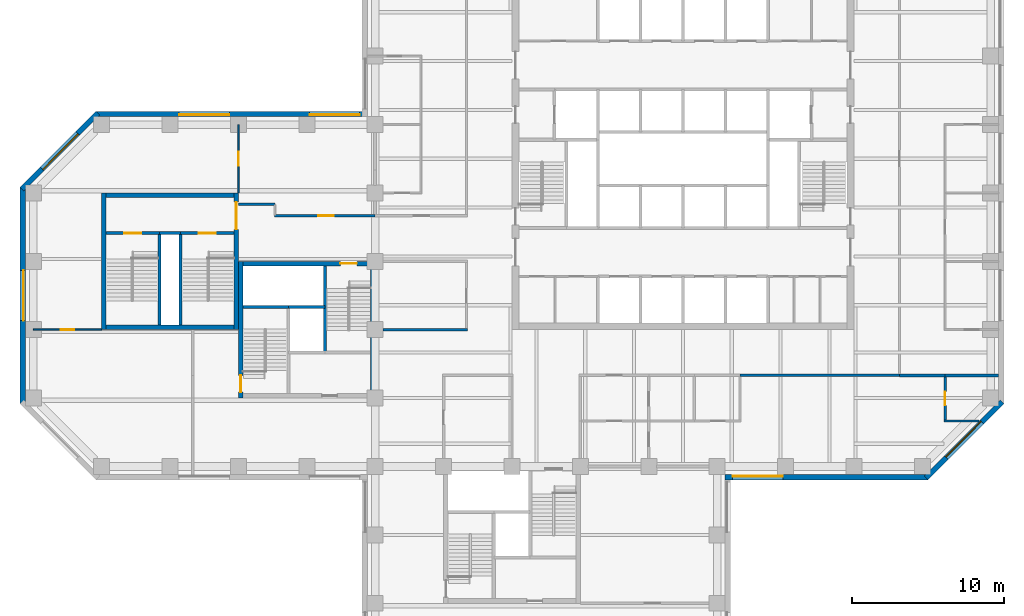
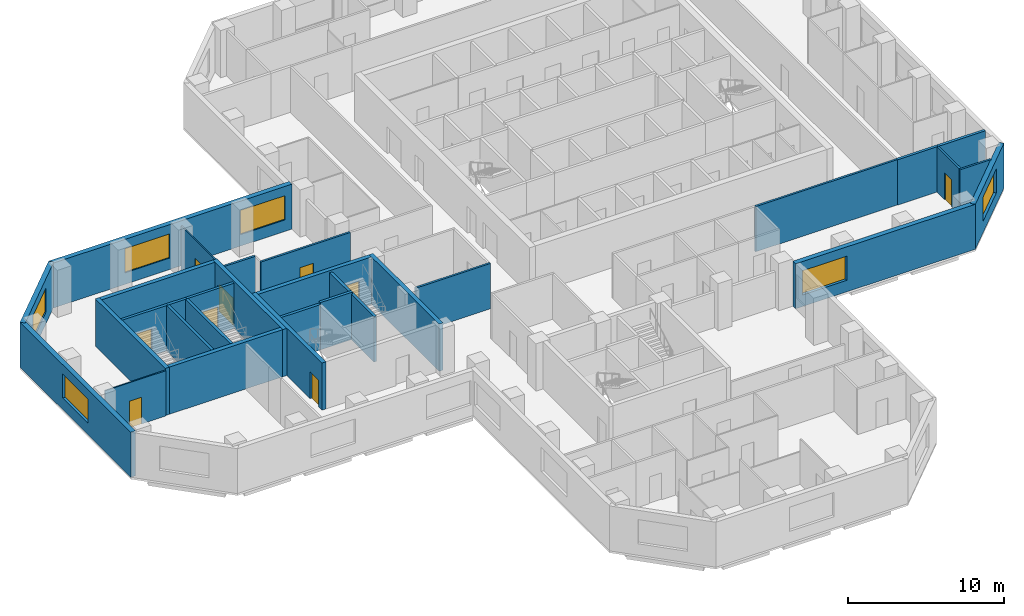
# One storey, part 5 of 10: 30 walls, 9 doors, 6 windows, 15 openings.
"""IFC4 building model written with IfcOpenShell, lengths in metres."""

from ifc_helpers import new_model, si_unit, direction, frame, frame_2d, origin, place, context, subcontext, project, spatial, rectangle, extrude, material, layer, layer_set, constituent, constituent_set, type_object, element, fill, save


model = new_model("IFC4")

# Units and contexts
model_context = context("Model", 3, precision=1e-05, world=origin(), true_north=direction((0.0, 1.0)))
body_context = subcontext(model_context, "Body", "Model", "MODEL_VIEW")
ifc_project = project(units=[si_unit("LENGTHUNIT", "METRE"), si_unit("AREAUNIT", "SQUARE_METRE"), si_unit("VOLUMEUNIT", "CUBIC_METRE"), si_unit("PLANEANGLEUNIT", "RADIAN"), si_unit("MASSUNIT", "GRAM", prefix="KILO")], contexts=[model_context])

# Site, building, storey
site_placement = place(None, origin())
site = spatial("IfcSite", under=ifc_project, at=site_placement, CompositionType="ELEMENT")
building_placement = place(site_placement, origin())
building = spatial("IfcBuilding", under=site, at=building_placement, Name="Quoin Convention Tower", CompositionType="ELEMENT")
storey_placement = place(building_placement, frame((0.0, 0.0, 86.300048828125)))
storey = spatial("IfcBuildingStorey", under=building, at=storey_placement, Name="L22", CompositionType="ELEMENT", Elevation=86.300048828125)

# Wall, opening, window
ifc_material_1 = material(Name="Brick masonry", Category="masonry")
ifc_layer_1 = layer(ifc_material_1, 0.35009765625)
ifc_layer_set_1 = layer_set([ifc_layer_1], Name="Brick masonry")
wall_type_1 = type_object("IfcWallType", Name="Brick facade wall", PredefinedType="STANDARD", material=ifc_layer_set_1)
wall_1_placement = place(storey_placement, frame((59.02490234375, 39.800048828125, 0.0), z_axis=(0.0, 0.0, 1.0), x_axis=(1.0, 0.0, 0.0)))
wall_1 = element("IfcWall", 1, at=wall_1_placement, inside=storey, type_object=wall_type_1, Name="fw-L22-58500_40500", PredefinedType="STANDARD", context=body_context, shape_type="SweptSolid", body=[
    extrude(rectangle(XDim=13.33740234375, YDim=0.35009765625, at=frame_2d((6.668701171875, 0.0))), origin(), (0.0, 0.0, 1.0), 3.52490234375),
])
opening_1_placement = place(wall_1_placement, frame((0.5, 0.0, 0.89990234375)))
opening_1 = element("IfcOpeningElement", 2, at=opening_1_placement, cuts=wall_1, Name="Opening W-02", PredefinedType="OPENING", context=body_context, shape_type="SweptSolid", body=[
    extrude(rectangle(XDim=3.300048828125, YDim=1.89990234375, at=frame_2d((1.64990234375, 0.949951171875))), frame((0.0, 0.18505859375, 0.0), z_axis=(0.0, -1.0, 0.0), x_axis=(1.0, 0.0, 0.0)), (0.0, 0.0, 1.0), 0.3701171875),
])
ifc_material_2 = material(Name="Aluminium", Category="aluminium")
ifc_constituent_1 = constituent(ifc_material_2, Name="Frame")
ifc_material_3 = material(Name="Insulated glass", Category="glass")
ifc_constituent_2 = constituent(ifc_material_3, Name="Glazing")
ifc_constituent_set = constituent_set(constituents=[ifc_constituent_1, ifc_constituent_2], Name="Aluminium")
window_type = type_object("IfcWindowType", Name="Office window", PartitioningType="DOUBLE_PANEL_VERTICAL", PredefinedType="WINDOW", material=ifc_constituent_set)
window_1_placement = place(opening_1_placement, origin())
window_1 = element("IfcWindow", 3, at=window_1_placement, inside=storey, type_object=window_type, Name="win-L22-60750_39800", OverallHeight=1.89990234375, OverallWidth=3.300048828125, PartitioningType="SINGLE_PANEL", PredefinedType="WINDOW", context=body_context, shape_type="SweptSolid", body=[
    extrude(rectangle(XDim=3.300048828125, YDim=1.89990234375, at=frame_2d((1.64990234375, 0.949951171875))), frame((0.0, 0.0849609375, 0.0), z_axis=(0.0, -1.0, 0.0), x_axis=(1.0, 0.0, 0.0)), (0.0, 0.0, 1.0), 0.06005859375),
])
fill(opening_1, window_1)

wall_2_placement = place(storey_placement, frame((72.23876953125, 39.748779296875, 0.0), z_axis=(0.0, 0.0, 1.0), x_axis=(0.707106781187, 0.707106781187, 0.0)))
wall_2 = element("IfcWall", 4, at=wall_2_placement, inside=storey, type_object=wall_type_1, Name="fw-L22-72000_40500", PredefinedType="STANDARD", context=body_context, shape_type="SweptSolid", body=[
    extrude(rectangle(XDim=7.088623046875, YDim=0.35009765625, at=frame_2d((3.54443359375, 0.0))), origin(), (0.0, 0.0, 1.0), 3.52490234375),
])
opening_2_placement = place(wall_2_placement, frame((1.894287109375, 0.0, 0.89990234375)))
opening_2 = element("IfcOpeningElement", 5, at=opening_2_placement, cuts=wall_2, Name="Opening W-02", PredefinedType="OPENING", context=body_context, shape_type="SweptSolid", body=[
    extrude(rectangle(XDim=3.300048828125, YDim=1.89990234375, at=frame_2d((1.64990234375, 0.949951171875))), frame((0.0, 0.18505859375, 0.0), z_axis=(0.0, -1.0, 0.0), x_axis=(1.0, 0.0, 0.0)), (0.0, 0.0, 1.0), 0.3701171875),
])
window_2_placement = place(opening_2_placement, origin())
window_2 = element("IfcWindow", 6, at=window_2_placement, inside=storey, type_object=window_type, Name="win-L22-74745_42255", OverallHeight=1.89990234375, OverallWidth=3.300048828125, PartitioningType="SINGLE_PANEL", PredefinedType="WINDOW", context=body_context, shape_type="SweptSolid", body=[
    extrude(rectangle(XDim=3.300048828125, YDim=1.89990234375, at=frame_2d((1.64990234375, 0.949951171875))), frame((0.0, 0.0849609375, 0.0), z_axis=(0.0, -1.0, 0.0), x_axis=(1.0, 0.0, 0.0)), (0.0, 0.0, 1.0), 0.06005859375),
])
fill(opening_2, window_2)

# Wall, openings, windows
wall_3_placement = place(storey_placement, frame((35.47509765625, 63.699951171875, 0.0), z_axis=(0.0, 0.0, 1.0), x_axis=(-1.0, 0.0, 0.0)))
wall_3 = element("IfcWall", 7, at=wall_3_placement, inside=storey, type_object=wall_type_1, Name="fw-L22-36000_63000", PredefinedType="STANDARD", context=body_context, shape_type="SweptSolid", body=[
    extrude(rectangle(XDim=17.83740234375, YDim=0.35009765625, at=frame_2d((8.918701171875, 0.0))), origin(), (0.0, 0.0, 1.0), 3.52490234375),
])
opening_3_placement = place(wall_3_placement, frame((0.5, 0.0, 0.89990234375)))
opening_3 = element("IfcOpeningElement", 8, at=opening_3_placement, cuts=wall_3, Name="Opening W-02", PredefinedType="OPENING", context=body_context, shape_type="SweptSolid", body=[
    extrude(rectangle(XDim=3.300048828125, YDim=1.89990234375, at=frame_2d((1.64990234375, 0.949951171875))), frame((0.0, 0.18505859375, 0.0), z_axis=(0.0, -1.0, 0.0), x_axis=(1.0, 0.0, 0.0)), (0.0, 0.0, 1.0), 0.3701171875),
])
opening_4_placement = place(wall_3_placement, frame((9.074951171875, 0.0, 0.89990234375)))
opening_4 = element("IfcOpeningElement", 9, at=opening_4_placement, cuts=wall_3, Name="Opening W-02", PredefinedType="OPENING", context=body_context, shape_type="SweptSolid", body=[
    extrude(rectangle(XDim=3.300048828125, YDim=1.89990234375, at=frame_2d((1.64990234375, 0.949951171875))), frame((0.0, 0.18505859375, 0.0), z_axis=(0.0, -1.0, 0.0), x_axis=(1.0, 0.0, 0.0)), (0.0, 0.0, 1.0), 0.3701171875),
])
window_3_placement = place(opening_3_placement, origin())
window_3 = element("IfcWindow", 10, at=window_3_placement, inside=storey, type_object=window_type, Name="win-L22-33750_63700", OverallHeight=1.89990234375, OverallWidth=3.300048828125, PartitioningType="SINGLE_PANEL", PredefinedType="WINDOW", context=body_context, shape_type="SweptSolid", body=[
    extrude(rectangle(XDim=3.300048828125, YDim=1.89990234375, at=frame_2d((1.64990234375, 0.949951171875))), frame((0.0, 0.0849609375, 0.0), z_axis=(0.0, -1.0, 0.0), x_axis=(1.0, 0.0, 0.0)), (0.0, 0.0, 1.0), 0.06005859375),
])
fill(opening_3, window_3)
window_4_placement = place(opening_4_placement, origin())
window_4 = element("IfcWindow", 11, at=window_4_placement, inside=storey, type_object=window_type, Name="win-L22-24750_63700", OverallHeight=1.89990234375, OverallWidth=3.300048828125, PartitioningType="SINGLE_PANEL", PredefinedType="WINDOW", context=body_context, shape_type="SweptSolid", body=[
    extrude(rectangle(XDim=3.300048828125, YDim=1.89990234375, at=frame_2d((1.64990234375, 0.949951171875))), frame((0.0, 0.0849609375, 0.0), z_axis=(0.0, -1.0, 0.0), x_axis=(1.0, 0.0, 0.0)), (0.0, 0.0, 1.0), 0.06005859375),
])
fill(opening_4, window_4)

# Wall, opening, window
wall_4_placement = place(storey_placement, frame((17.76123046875, 63.751220703125, 0.0), z_axis=(0.0, 0.0, 1.0), x_axis=(-0.707106781187, -0.707106781187, 0.0)))
wall_4 = element("IfcWall", 12, at=wall_4_placement, inside=storey, type_object=wall_type_1, Name="fw-L22-18000_63000", PredefinedType="STANDARD", context=body_context, shape_type="SweptSolid", body=[
    extrude(rectangle(XDim=7.088623046875, YDim=0.35009765625, at=frame_2d((3.54443359375, 0.0))), origin(), (0.0, 0.0, 1.0), 3.52490234375),
])
opening_5_placement = place(wall_4_placement, frame((1.894287109375, 0.0, 0.89990234375)))
opening_5 = element("IfcOpeningElement", 13, at=opening_5_placement, cuts=wall_4, Name="Opening W-02", PredefinedType="OPENING", context=body_context, shape_type="SweptSolid", body=[
    extrude(rectangle(XDim=3.300048828125, YDim=1.89990234375, at=frame_2d((1.64990234375, 0.949951171875))), frame((0.0, 0.18505859375, 0.0), z_axis=(0.0, -1.0, 0.0), x_axis=(1.0, 0.0, 0.0)), (0.0, 0.0, 1.0), 0.3701171875),
])
window_5_placement = place(opening_5_placement, origin())
window_5 = element("IfcWindow", 14, at=window_5_placement, inside=storey, type_object=window_type, Name="win-L22-15255_61245", OverallHeight=1.89990234375, OverallWidth=3.300048828125, PartitioningType="SINGLE_PANEL", PredefinedType="WINDOW", context=body_context, shape_type="SweptSolid", body=[
    extrude(rectangle(XDim=3.300048828125, YDim=1.89990234375, at=frame_2d((1.64990234375, 0.949951171875))), frame((0.0, 0.0849609375, 0.0), z_axis=(0.0, -1.0, 0.0), x_axis=(1.0, 0.0, 0.0)), (0.0, 0.0, 1.0), 0.06005859375),
])
fill(opening_5, window_5)

wall_5_placement = place(storey_placement, frame((12.800048828125, 58.8623046875, 0.0), z_axis=(0.0, 0.0, 1.0), x_axis=(0.0, -1.0, 0.0)))
wall_5 = element("IfcWall", 15, at=wall_5_placement, inside=storey, type_object=wall_type_1, Name="fw-L22-13500_58500", PredefinedType="STANDARD", context=body_context, shape_type="SweptSolid", body=[
    extrude(rectangle(XDim=14.224609375, YDim=0.35009765625, at=frame_2d((7.1123046875, 0.0))), origin(), (0.0, 0.0, 1.0), 3.52490234375),
])
opening_6_placement = place(wall_5_placement, frame((5.46240234375, 0.0, 0.89990234375)))
opening_6 = element("IfcOpeningElement", 16, at=opening_6_placement, cuts=wall_5, Name="Opening W-02", PredefinedType="OPENING", context=body_context, shape_type="SweptSolid", body=[
    extrude(rectangle(XDim=3.300048828125, YDim=1.89990234375, at=frame_2d((1.64990234375, 0.949951171875))), frame((0.0, 0.18505859375, 0.0), z_axis=(0.0, -1.0, 0.0), x_axis=(1.0, 0.0, 0.0)), (0.0, 0.0, 1.0), 0.3701171875),
])
window_6_placement = place(opening_6_placement, origin())
window_6 = element("IfcWindow", 17, at=window_6_placement, inside=storey, type_object=window_type, Name="win-L22-12800_51750", OverallHeight=1.89990234375, OverallWidth=3.300048828125, PartitioningType="SINGLE_PANEL", PredefinedType="WINDOW", context=body_context, shape_type="SweptSolid", body=[
    extrude(rectangle(XDim=3.300048828125, YDim=1.89990234375, at=frame_2d((1.64990234375, 0.949951171875))), frame((0.0, 0.0849609375, 0.0), z_axis=(0.0, -1.0, 0.0), x_axis=(1.0, 0.0, 0.0)), (0.0, 0.0, 1.0), 0.06005859375),
])
fill(opening_6, window_6)

# Walls
ifc_material_4 = material(Name="Concrete C50", Category="concrete")
ifc_layer_2 = layer(ifc_material_4, 0.199951171875)
ifc_layer_set_2 = layer_set([ifc_layer_2], Name="Concrete C50")
wall_type_2 = type_object("IfcWallType", Name="Core shaft wall", PredefinedType="SOLIDWALL", material=ifc_layer_set_2)
wall_6_placement = place(storey_placement, frame((27.300048828125, 51.0, 0.0), z_axis=(0.0, 0.0, 1.0), x_axis=(1.0, 0.0, 0.0)))
element("IfcWall", 18, at=wall_6_placement, inside=storey, type_object=wall_type_2, Name="cr-P2-L22-h6000_300", PredefinedType="SOLIDWALL", context=body_context, shape_type="SweptSolid", body=[
    extrude(rectangle(XDim=3.0, YDim=0.199951171875, at=frame_2d((1.5, 0.0))), origin(), (0.0, 0.0, 1.0), 3.550048828125),
])
wall_7_placement = place(storey_placement, frame((32.699951171875, 48.0, 0.0), z_axis=(0.0, 0.0, 1.0), x_axis=(0.0, 1.0, 0.0)))
element("IfcWall", 19, at=wall_7_placement, inside=storey, type_object=wall_type_2, Name="cr-P2-L22-v5700_3000", PredefinedType="SOLIDWALL", context=body_context, shape_type="SweptSolid", body=[
    extrude(rectangle(XDim=5.699951171875, YDim=0.199951171875, at=frame_2d((2.85009765625, 0.0))), origin(), (0.0, 0.0, 1.0), 3.550048828125),
])
wall_8_placement = place(storey_placement, frame((21.800048828125, 55.85009765625, 0.0), z_axis=(0.0, 0.0, 1.0), x_axis=(1.0, 0.0, 0.0)))
element("IfcWall", 20, at=wall_8_placement, inside=storey, type_object=wall_type_2, Name="cr-P6-L22-h6350_3800", PredefinedType="SOLIDWALL", context=body_context, shape_type="SweptSolid", body=[
    extrude(rectangle(XDim=1.39990234375, YDim=0.199951171875, at=frame_2d((0.699951171875, 0.0))), origin(), (0.0, 0.0, 1.0), 3.550048828125),
])

# Wall, opening, door
wall_9_placement = place(storey_placement, frame((18.300048828125, 55.85009765625, 0.0), z_axis=(0.0, 0.0, 1.0), x_axis=(1.0, 0.0, 0.0)))
wall_9 = element("IfcWall", 21, at=wall_9_placement, inside=storey, type_object=wall_type_2, Name="cr-P6-L22-h6350_300", PredefinedType="SOLIDWALL", context=body_context, shape_type="SweptSolid", body=[
    extrude(rectangle(XDim=3.5, YDim=0.199951171875, at=frame_2d((1.75, 0.0))), origin(), (0.0, 0.0, 1.0), 3.550048828125),
])
opening_7_placement = place(wall_9_placement, frame((1.199951171875, 0.0, 0.0)))
opening_7 = element("IfcOpeningElement", 22, at=opening_7_placement, cuts=wall_9, Name="Opening SD11", PredefinedType="OPENING", context=body_context, shape_type="SweptSolid", body=[
    extrude(rectangle(XDim=1.10009765625, YDim=2.10009765625, at=frame_2d((0.550048828125, 1.050048828125))), frame((0.0, 0.10986328125, 0.0), z_axis=(0.0, -1.0, 0.0), x_axis=(1.0, 0.0, 0.0)), (0.0, 0.0, 1.0), 0.219970703125),
])
ifc_material_5 = material(Name="Steel door leaf", Category="steel")
door_type_1 = type_object("IfcDoorType", Name="Stair door 1100 x 2100", OperationType="SINGLE_SWING_RIGHT", PredefinedType="DOOR", material=ifc_material_5)
door_1_placement = place(opening_7_placement, origin())
door_1 = element("IfcDoor", 23, at=door_1_placement, inside=storey, type_object=door_type_1, Name="cd-P6-L22-SA-R2-SD11", OperationType="SINGLE_SWING_RIGHT", OverallHeight=2.10009765625, OverallWidth=1.10009765625, PredefinedType="DOOR", context=body_context, shape_type="SweptSolid", body=[
    extrude(rectangle(XDim=1.10009765625, YDim=2.10009765625, at=frame_2d((0.550048828125, 1.050048828125))), frame((0.0, 0.02490234375, 0.0), z_axis=(0.0, -1.0, 0.0), x_axis=(1.0, 0.0, 0.0)), (0.0, 0.0, 1.0), 0.050048828125),
])
fill(opening_7, door_1)

wall_10_placement = place(storey_placement, frame((23.199951171875, 55.85009765625, 0.0), z_axis=(0.0, 0.0, 1.0), x_axis=(1.0, 0.0, 0.0)))
wall_10 = element("IfcWall", 24, at=wall_10_placement, inside=storey, type_object=wall_type_2, Name="cr-P6-L22-h6350_5200", PredefinedType="SOLIDWALL", context=body_context, shape_type="SweptSolid", body=[
    extrude(rectangle(XDim=3.5, YDim=0.199951171875, at=frame_2d((1.75, 0.0))), origin(), (0.0, 0.0, 1.0), 3.550048828125),
])
opening_8_placement = place(wall_10_placement, frame((1.199951171875, 0.0, 0.0)))
opening_8 = element("IfcOpeningElement", 25, at=opening_8_placement, cuts=wall_10, Name="Opening SD12", PredefinedType="OPENING", context=body_context, shape_type="SweptSolid", body=[
    extrude(rectangle(XDim=1.10009765625, YDim=2.10009765625, at=frame_2d((0.550048828125, 1.050048828125))), frame((0.0, 0.10986328125, 0.0), z_axis=(0.0, -1.0, 0.0), x_axis=(1.0, 0.0, 0.0)), (0.0, 0.0, 1.0), 0.219970703125),
])
door_2_placement = place(opening_8_placement, origin())
door_2 = element("IfcDoor", 26, at=door_2_placement, inside=storey, type_object=door_type_1, Name="cd-P6-L22-SB-R2-SD12", OperationType="SINGLE_SWING_RIGHT", OverallHeight=2.10009765625, OverallWidth=1.10009765625, PredefinedType="DOOR", context=body_context, shape_type="SweptSolid", body=[
    extrude(rectangle(XDim=1.10009765625, YDim=2.10009765625, at=frame_2d((0.550048828125, 1.050048828125))), frame((0.0, 0.02490234375, 0.0), z_axis=(0.0, -1.0, 0.0), x_axis=(1.0, 0.0, 0.0)), (0.0, 0.0, 1.0), 0.050048828125),
])
fill(opening_8, door_2)

# Walls
for number, where, z_axis, x_axis, name in (
    (27, (21.800048828125, 49.800048828125, 0.0), (0.0, 0.0, 1.0), (0.0, 1.0, 0.0), "cr-P6-L22-v3800_300"),
    (28, (23.199951171875, 49.800048828125, 0.0), (0.0, 0.0, 1.0), (0.0, 1.0, 0.0), "cr-P6-L22-v5200_300"),
):
    element("IfcWall", number, at=place(storey_placement, frame(where, z_axis=z_axis, x_axis=x_axis)), inside=storey, type_object=wall_type_2, Name=name, PredefinedType="SOLIDWALL", context=body_context, shape_type="SweptSolid", body=[
        extrude(rectangle(XDim=6.050048828125, YDim=0.199951171875, at=frame_2d((3.02490234375, 0.0))), origin(), (0.0, 0.0, 1.0), 3.550048828125),
    ])
ifc_layer_3 = layer(ifc_material_4, 0.199951171875)
ifc_layer_set_3 = layer_set([ifc_layer_3], Name="Concrete C50")
wall_type_3 = type_object("IfcWallType", Name="Core shaft wall to the floor level over", PredefinedType="SOLIDWALL", material=ifc_layer_set_3)
wall_11_placement = place(storey_placement, frame((30.300048828125, 51.0, 0.0), z_axis=(0.0, 0.0, 1.0), x_axis=(1.0, 0.0, 0.0)))
element("IfcWall", 29, at=wall_11_placement, inside=storey, type_object=wall_type_3, Name="cr-P2-L22-h6000_3300", PredefinedType="SOLIDWALL", context=body_context, shape_type="SweptSolid", body=[
    extrude(rectangle(XDim=2.39990234375, YDim=0.199951171875, at=frame_2d((1.199951171875, 0.0))), origin(), (0.0, 0.0, 1.0), 3.699951171875),
])
ifc_material_6 = material(Name="Plasterboard")
ifc_layer_4 = layer(ifc_material_6, 0.012451171875, Name="Finish")
ifc_material_7 = material(Name="Steel stud framing", Category="steel")
ifc_layer_5 = layer(ifc_material_7, 0.125, Name="Structure")
ifc_layer_6 = layer(ifc_material_6, 0.012451171875, Name="Finish")
ifc_layer_set_4 = layer_set([ifc_layer_4, ifc_layer_5, ifc_layer_6], Name="Steel stud framing")
wall_type_4 = type_object("IfcWallType", Name="Corridor wall 150", PredefinedType="PARTITIONING", material=ifc_layer_set_4)
wall_12_placement = place(storey_placement, frame((60.0, 46.5, 0.0), z_axis=(0.0, 0.0, 1.0), x_axis=(1.0, 0.0, 0.0)))
element("IfcWall", 30, at=wall_12_placement, inside=storey, type_object=wall_type_4, Name="pw-L22-028", PredefinedType="PARTITIONING", context=body_context, shape_type="SweptSolid", body=[
    extrude(rectangle(XDim=10.5, YDim=0.14990234375, at=frame_2d((5.25, 0.0))), origin(), (0.0, 0.0, 1.0), 3.550048828125),
])
wall_13_placement = place(storey_placement, frame((36.52490234375, 49.5, 0.0), z_axis=(0.0, 0.0, 1.0), x_axis=(1.0, 0.0, 0.0)))
element("IfcWall", 31, at=wall_13_placement, inside=storey, type_object=wall_type_4, Name="pw-L22-032", PredefinedType="PARTITIONING", context=body_context, shape_type="SweptSolid", body=[
    extrude(rectangle(XDim=5.550048828125, YDim=0.14990234375, at=frame_2d((2.77490234375, 0.0))), origin(), (0.0, 0.0, 1.0), 3.550048828125),
])

# Wall, opening, door
wall_14_placement = place(storey_placement, frame((29.3798828125, 57.0, 0.0), z_axis=(0.0, 0.0, 1.0), x_axis=(1.0, 0.0, 0.0)))
wall_14 = element("IfcWall", 32, at=wall_14_placement, inside=storey, type_object=wall_type_4, Name="pw-L22-037", PredefinedType="PARTITIONING", context=body_context, shape_type="SweptSolid", body=[
    extrude(rectangle(XDim=6.6201171875, YDim=0.14990234375, at=frame_2d((3.31005859375, 0.0))), origin(), (0.0, 0.0, 1.0), 3.550048828125),
])
opening_9_placement = place(wall_14_placement, frame((2.8798828125, 0.0, 0.0)))
opening_9 = element("IfcOpeningElement", 33, at=opening_9_placement, cuts=wall_14, Name="Opening DOL2-12", PredefinedType="OPENING", context=body_context, shape_type="SweptSolid", body=[
    extrude(rectangle(XDim=1.0, YDim=2.10009765625, at=frame_2d((0.5, 1.050048828125))), frame((0.0, 0.0849609375, 0.0), z_axis=(0.0, -1.0, 0.0), x_axis=(1.0, 0.0, 0.0)), (0.0, 0.0, 1.0), 0.169921875),
])
door_type_2 = type_object("IfcDoorType", Name="Tenancy entrance door 1000 x 2100", OperationType="DOUBLE_DOOR_SINGLE_SWING", PredefinedType="DOOR", material=ifc_material_5)
door_3_placement = place(opening_9_placement, origin())
door_3 = element("IfcDoor", 34, at=door_3_placement, inside=storey, type_object=door_type_2, Name="dr-L22-w01", OperationType="DOUBLE_DOOR_SINGLE_SWING", OverallHeight=2.10009765625, OverallWidth=1.0, PredefinedType="DOOR", context=body_context, shape_type="SweptSolid", body=[
    extrude(rectangle(XDim=1.0, YDim=2.10009765625, at=frame_2d((0.5, 1.050048828125))), frame((0.0, 0.02490234375, 0.0), z_axis=(0.0, -1.0, 0.0), x_axis=(1.0, 0.0, 0.0)), (0.0, 0.0, 1.0), 0.050048828125),
])
fill(opening_9, door_3)

# Wall
wall_15_placement = place(storey_placement, frame((27.0, 57.75, 0.0), z_axis=(0.0, 0.0, 1.0), x_axis=(1.0, 0.0, 0.0)))
element("IfcWall", 35, at=wall_15_placement, inside=storey, type_object=wall_type_4, Name="pw-L22-w03", PredefinedType="PARTITIONING", context=body_context, shape_type="SweptSolid", body=[
    extrude(rectangle(XDim=2.39990234375, YDim=0.14990234375, at=frame_2d((1.199951171875, 0.0))), origin(), (0.0, 0.0, 1.0), 3.550048828125),
])

# Wall, opening, door
ifc_material_8 = material(Name="Concrete C65", Category="concrete")
ifc_layer_7 = layer(ifc_material_8, 0.300048828125)
ifc_layer_set_5 = layer_set([ifc_layer_7], Name="Concrete C65")
wall_type_5 = type_object("IfcWallType", Name="RC CORE WALL 300 C65", PredefinedType="SHEAR", material=ifc_layer_set_5)
wall_16_placement = place(storey_placement, frame((27.300048828125, 53.85009765625, 0.0), z_axis=(0.0, 0.0, 1.0), x_axis=(1.0, 0.0, 0.0)))
wall_16 = element("IfcWall", 36, at=wall_16_placement, inside=storey, type_object=wall_type_5, Name="cwl-P2-L22-N", PredefinedType="SHEAR", context=body_context, shape_type="SweptSolid", body=[
    extrude(rectangle(XDim=8.39990234375, YDim=0.300048828125, at=frame_2d((4.199951171875, 0.0))), origin(), (0.0, 0.0, 1.0), 3.699951171875),
])
opening_10_placement = place(wall_16_placement, frame((6.39990234375, 0.0, 0.0)))
opening_10 = element("IfcOpeningElement", 37, at=opening_10_placement, cuts=wall_16, Name="Opening SD4", PredefinedType="OPENING", context=body_context, shape_type="SweptSolid", body=[
    extrude(rectangle(XDim=1.10009765625, YDim=2.10009765625, at=frame_2d((0.550048828125, 1.050048828125))), frame((0.0, 0.159912109375, 0.0), z_axis=(0.0, -1.0, 0.0), x_axis=(1.0, 0.0, 0.0)), (0.0, 0.0, 1.0), 0.320068359375),
])
door_4_placement = place(opening_10_placement, frame((1.10009765625, 0.0, 0.0), z_axis=(0.0, 0.0, 1.0), x_axis=(-1.0, 0.0, 0.0)))
door_4 = element("IfcDoor", 38, at=door_4_placement, inside=storey, type_object=door_type_1, Name="cd-P2-L22-SB-N", OperationType="SINGLE_SWING_LEFT", OverallHeight=2.10009765625, OverallWidth=1.10009765625, PredefinedType="DOOR", context=body_context, shape_type="SweptSolid", body=[
    extrude(rectangle(XDim=1.10009765625, YDim=2.10009765625, at=frame_2d((0.550048828125, 1.050048828125))), frame((0.0, 0.02490234375, 0.0), z_axis=(0.0, -1.0, 0.0), x_axis=(1.0, 0.0, 0.0)), (0.0, 0.0, 1.0), 0.050048828125),
])
fill(opening_10, door_4)

wall_17_placement = place(storey_placement, frame((27.14990234375, 45.0, 0.0), z_axis=(0.0, 0.0, 1.0), x_axis=(0.0, 1.0, 0.0)))
wall_17 = element("IfcWall", 39, at=wall_17_placement, inside=storey, type_object=wall_type_5, Name="cwl-P2-L22-W", PredefinedType="SHEAR", context=body_context, shape_type="SweptSolid", body=[
    extrude(rectangle(XDim=9.0, YDim=0.300048828125, at=frame_2d((4.5, 0.0))), origin(), (0.0, 0.0, 1.0), 3.699951171875),
])
opening_11_placement = place(wall_17_placement, frame((0.39990234375, 0.0, 0.0)))
opening_11 = element("IfcOpeningElement", 40, at=opening_11_placement, cuts=wall_17, Name="Opening SD3", PredefinedType="OPENING", context=body_context, shape_type="SweptSolid", body=[
    extrude(rectangle(XDim=1.10009765625, YDim=2.10009765625, at=frame_2d((0.550048828125, 1.050048828125))), frame((0.0, 0.159912109375, 0.0), z_axis=(0.0, -1.0, 0.0), x_axis=(1.0, 0.0, 0.0)), (0.0, 0.0, 1.0), 0.320068359375),
])
door_5_placement = place(opening_11_placement, frame((1.10009765625, 0.0, 0.0), z_axis=(0.0, 0.0, 1.0), x_axis=(-1.0, 0.0, 0.0)))
door_5 = element("IfcDoor", 41, at=door_5_placement, inside=storey, type_object=door_type_1, Name="cd-P2-L22-SA-W", OperationType="SINGLE_SWING_RIGHT", OverallHeight=2.10009765625, OverallWidth=1.10009765625, PredefinedType="DOOR", context=body_context, shape_type="SweptSolid", body=[
    extrude(rectangle(XDim=1.10009765625, YDim=2.10009765625, at=frame_2d((0.550048828125, 1.050048828125))), frame((0.0, 0.02490234375, 0.0), z_axis=(0.0, -1.0, 0.0), x_axis=(1.0, 0.0, 0.0)), (0.0, 0.0, 1.0), 0.050048828125),
])
fill(opening_11, door_5)

# Walls
wall_18_placement = place(storey_placement, frame((35.85009765625, 45.0, 0.0), z_axis=(0.0, 0.0, 1.0), x_axis=(0.0, 1.0, 0.0)))
element("IfcWall", 42, at=wall_18_placement, inside=storey, type_object=wall_type_5, Name="cwl-P2-L22-E", PredefinedType="SHEAR", context=body_context, shape_type="SweptSolid", body=[
    extrude(rectangle(XDim=9.0, YDim=0.300048828125, at=frame_2d((4.5, 0.0))), origin(), (0.0, 0.0, 1.0), 3.699951171875),
])
for number, where, z_axis, x_axis, name in (
    (43, (18.300048828125, 49.64990234375, 0.0), (0.0, 0.0, 1.0), (1.0, 0.0, 0.0), "cwl-P6-L22-S"),
    (44, (18.300048828125, 58.35009765625, 0.0), (0.0, 0.0, 1.0), (1.0, 0.0, 0.0), "cwl-P6-L22-N"),
):
    element("IfcWall", number, at=place(storey_placement, frame(where, z_axis=z_axis, x_axis=x_axis)), inside=storey, type_object=wall_type_5, Name=name, PredefinedType="SHEAR", context=body_context, shape_type="SweptSolid", body=[
        extrude(rectangle(XDim=8.39990234375, YDim=0.300048828125, at=frame_2d((4.199951171875, 0.0))), origin(), (0.0, 0.0, 1.0), 3.699951171875),
    ])
wall_19_placement = place(storey_placement, frame((18.14990234375, 49.5, 0.0), z_axis=(0.0, 0.0, 1.0), x_axis=(0.0, 1.0, 0.0)))
element("IfcWall", 45, at=wall_19_placement, inside=storey, type_object=wall_type_5, Name="cwl-P6-L22-W", PredefinedType="SHEAR", context=body_context, shape_type="SweptSolid", body=[
    extrude(rectangle(XDim=9.0, YDim=0.300048828125, at=frame_2d((4.5, 0.0))), origin(), (0.0, 0.0, 1.0), 3.699951171875),
])

# Wall, opening, door
wall_20_placement = place(storey_placement, frame((26.85009765625, 49.5, 0.0), z_axis=(0.0, 0.0, 1.0), x_axis=(0.0, 1.0, 0.0)))
wall_20 = element("IfcWall", 46, at=wall_20_placement, inside=storey, type_object=wall_type_5, Name="cwl-P6-L22-E", PredefinedType="SHEAR", context=body_context, shape_type="SweptSolid", body=[
    extrude(rectangle(XDim=9.0, YDim=0.300048828125, at=frame_2d((4.5, 0.0))), origin(), (0.0, 0.0, 1.0), 3.699951171875),
])
opening_12_placement = place(wall_20_placement, frame((6.60009765625, 0.0, 0.0)))
opening_12 = element("IfcOpeningElement", 47, at=opening_12_placement, cuts=wall_20, Name="Opening DCV2-44", PredefinedType="OPENING", context=body_context, shape_type="SweptSolid", body=[
    extrude(rectangle(XDim=1.800048828125, YDim=2.10009765625, at=frame_2d((0.89990234375, 1.050048828125))), frame((0.0, 0.159912109375, 0.0), z_axis=(0.0, -1.0, 0.0), x_axis=(1.0, 0.0, 0.0)), (0.0, 0.0, 1.0), 0.320068359375),
])
door_type_3 = type_object("IfcDoorType", Name="Goods lobby door 1800 x 2100", OperationType="SINGLE_SWING_LEFT", PredefinedType="DOOR", material=ifc_material_5)
door_6_placement = place(opening_12_placement, origin())
door_6 = element("IfcDoor", 48, at=door_6_placement, inside=storey, type_object=door_type_3, Name="cd-P6-L22-R2-E", OperationType="SINGLE_SWING_LEFT", OverallHeight=2.10009765625, OverallWidth=1.800048828125, PredefinedType="DOOR", context=body_context, shape_type="SweptSolid", body=[
    extrude(rectangle(XDim=1.800048828125, YDim=2.10009765625, at=frame_2d((0.89990234375, 1.050048828125))), frame((0.0, 0.02490234375, 0.0), z_axis=(0.0, -1.0, 0.0), x_axis=(1.0, 0.0, 0.0)), (0.0, 0.0, 1.0), 0.050048828125),
])
fill(opening_12, door_6)

ifc_layer_8 = layer(ifc_material_6, 0.012451171875, Name="Finish")
ifc_layer_9 = layer(ifc_material_7, 0.074951171875, Name="Structure")
ifc_layer_10 = layer(ifc_material_6, 0.012451171875, Name="Finish")
ifc_layer_set_6 = layer_set([ifc_layer_8, ifc_layer_9, ifc_layer_10], Name="Steel stud framing")
wall_type_6 = type_object("IfcWallType", Name="Stud partition 100", PredefinedType="PARTITIONING", material=ifc_layer_set_6)
wall_21_placement = place(storey_placement, frame((27.0, 63.0, 0.0), z_axis=(0.0, 0.0, 1.0), x_axis=(0.0, -1.0, 0.0)))
wall_21 = element("IfcWall", 49, at=wall_21_placement, inside=storey, type_object=wall_type_6, Name="pw-L22-w01", PredefinedType="PARTITIONING", context=body_context, shape_type="SweptSolid", body=[
    extrude(rectangle(XDim=4.5, YDim=0.10009765625, at=frame_2d((2.25, 0.0))), origin(), (0.0, 0.0, 1.0), 3.550048828125),
])
opening_13_placement = place(wall_21_placement, frame((1.800048828125, 0.0, 0.0)))
opening_13 = element("IfcOpeningElement", 50, at=opening_13_placement, cuts=wall_21, Name="Opening DOL2-31", PredefinedType="OPENING", context=body_context, shape_type="SweptSolid", body=[
    extrude(rectangle(XDim=0.89990234375, YDim=2.10009765625, at=frame_2d((0.449951171875, 1.050048828125))), frame((0.0, 0.06005859375, 0.0), z_axis=(0.0, -1.0, 0.0), x_axis=(1.0, 0.0, 0.0)), (0.0, 0.0, 1.0), 0.1201171875),
])
door_type_4 = type_object("IfcDoorType", Name="Office door 900 x 2100", OperationType="SINGLE_SWING_RIGHT", PredefinedType="DOOR", material=ifc_material_5)
door_7_placement = place(opening_13_placement, frame((0.89990234375, 0.0, 0.0), z_axis=(0.0, 0.0, 1.0), x_axis=(-1.0, 0.0, 0.0)))
door_7 = element("IfcDoor", 51, at=door_7_placement, inside=storey, type_object=door_type_4, Name="dr-L22-w02", OperationType="SINGLE_SWING_RIGHT", OverallHeight=2.10009765625, OverallWidth=0.89990234375, PredefinedType="DOOR", context=body_context, shape_type="SweptSolid", body=[
    extrude(rectangle(XDim=0.89990234375, YDim=2.10009765625, at=frame_2d((0.449951171875, 1.050048828125))), frame((0.0, 0.02490234375, 0.0), z_axis=(0.0, -1.0, 0.0), x_axis=(1.0, 0.0, 0.0)), (0.0, 0.0, 1.0), 0.050048828125),
])
fill(opening_13, door_7)

wall_22_placement = place(storey_placement, frame((13.5, 49.5, 0.0), z_axis=(0.0, 0.0, 1.0), x_axis=(1.0, 0.0, 0.0)))
wall_22 = element("IfcWall", 52, at=wall_22_placement, inside=storey, type_object=wall_type_6, Name="pw-L22-w02", PredefinedType="PARTITIONING", context=body_context, shape_type="SweptSolid", body=[
    extrude(rectangle(XDim=4.5, YDim=0.10009765625, at=frame_2d((2.25, 0.0))), origin(), (0.0, 0.0, 1.0), 3.550048828125),
])
opening_14_placement = place(wall_22_placement, frame((1.800048828125, 0.0, 0.0)))
opening_14 = element("IfcOpeningElement", 53, at=opening_14_placement, cuts=wall_22, Name="Opening DOL2-32", PredefinedType="OPENING", context=body_context, shape_type="SweptSolid", body=[
    extrude(rectangle(XDim=0.89990234375, YDim=2.10009765625, at=frame_2d((0.449951171875, 1.050048828125))), frame((0.0, 0.06005859375, 0.0), z_axis=(0.0, -1.0, 0.0), x_axis=(1.0, 0.0, 0.0)), (0.0, 0.0, 1.0), 0.1201171875),
])
door_8_placement = place(opening_14_placement, origin())
door_8 = element("IfcDoor", 54, at=door_8_placement, inside=storey, type_object=door_type_4, Name="dr-L22-w03", OperationType="SINGLE_SWING_RIGHT", OverallHeight=2.10009765625, OverallWidth=0.89990234375, PredefinedType="DOOR", context=body_context, shape_type="SweptSolid", body=[
    extrude(rectangle(XDim=0.89990234375, YDim=2.10009765625, at=frame_2d((0.449951171875, 1.050048828125))), frame((0.0, 0.02490234375, 0.0), z_axis=(0.0, -1.0, 0.0), x_axis=(1.0, 0.0, 0.0)), (0.0, 0.0, 1.0), 0.050048828125),
])
fill(opening_14, door_8)

# Walls
ifc_layer_11 = layer(ifc_material_6, 0.012451171875, Name="Finish")
ifc_layer_12 = layer(ifc_material_7, 0.175048828125, Name="Structure")
ifc_layer_13 = layer(ifc_material_6, 0.012451171875, Name="Finish")
ifc_layer_set_7 = layer_set([ifc_layer_11, ifc_layer_12, ifc_layer_13], Name="Steel stud framing")
wall_type_7 = type_object("IfcWallType", Name="Tenancy demising wall 200", PredefinedType="PARTITIONING", material=ifc_layer_set_7)
wall_23_placement = place(storey_placement, frame((70.5, 46.5, 0.0), z_axis=(0.0, 0.0, 1.0), x_axis=(1.0, 0.0, 0.0)))
element("IfcWall", 55, at=wall_23_placement, inside=storey, type_object=wall_type_7, Name="pw-L22-029", PredefinedType="PARTITIONING", context=body_context, shape_type="SweptSolid", body=[
    extrude(rectangle(XDim=3.0, YDim=0.199951171875, at=frame_2d((1.5, 0.0))), origin(), (0.0, 0.0, 1.0), 3.550048828125),
])
wall_24_placement = place(storey_placement, frame((73.5, 46.5, 0.0), z_axis=(0.0, 0.0, 1.0), x_axis=(1.0, 0.0, 0.0)))
element("IfcWall", 56, at=wall_24_placement, inside=storey, type_object=wall_type_7, Name="pw-L22-030", PredefinedType="PARTITIONING", context=body_context, shape_type="SweptSolid", body=[
    extrude(rectangle(XDim=3.52490234375, YDim=0.199951171875, at=frame_2d((1.762451171875, 0.0))), origin(), (0.0, 0.0, 1.0), 3.550048828125),
])
ifc_layer_14 = layer(ifc_material_6, 0.012451171875, Name="Finish")
ifc_layer_15 = layer(ifc_material_7, 0.125, Name="Structure")
ifc_layer_16 = layer(ifc_material_6, 0.012451171875, Name="Finish")
ifc_layer_set_8 = layer_set([ifc_layer_14, ifc_layer_15, ifc_layer_16], Name="Steel stud framing")
wall_type_8 = type_object("IfcWallType", Name="Wet area partition 150", PredefinedType="PARTITIONING", material=ifc_layer_set_8)
wall_25_placement = place(storey_placement, frame((73.425048828125, 43.5, 0.0), z_axis=(0.0, 0.0, 1.0), x_axis=(1.0, 0.0, 0.0)))
element("IfcWall", 57, at=wall_25_placement, inside=storey, type_object=wall_type_8, Name="pw-L22-020", PredefinedType="PARTITIONING", context=body_context, shape_type="SweptSolid", body=[
    extrude(rectangle(XDim=2.3173828125, YDim=0.14990234375, at=frame_2d((1.15869140625, 0.0))), origin(), (0.0, 0.0, 1.0), 3.550048828125),
])

# Wall, opening, door
wall_26_placement = place(storey_placement, frame((73.5, 43.574951171875, 0.0), z_axis=(0.0, 0.0, 1.0), x_axis=(0.0, 1.0, 0.0)))
wall_26 = element("IfcWall", 58, at=wall_26_placement, inside=storey, type_object=wall_type_8, Name="pw-L22-076", PredefinedType="PARTITIONING", context=body_context, shape_type="SweptSolid", body=[
    extrude(rectangle(XDim=2.824951171875, YDim=0.14990234375, at=frame_2d((1.41259765625, 0.0))), origin(), (0.0, 0.0, 1.0), 3.550048828125),
])
opening_15_placement = place(wall_26_placement, frame((0.949951171875, 0.0, 0.0)))
opening_15 = element("IfcOpeningElement", 59, at=opening_15_placement, cuts=wall_26, Name="Opening DOL2-24", PredefinedType="OPENING", context=body_context, shape_type="SweptSolid", body=[
    extrude(rectangle(XDim=0.89990234375, YDim=2.10009765625, at=frame_2d((0.449951171875, 1.050048828125))), frame((0.0, 0.0849609375, 0.0), z_axis=(0.0, -1.0, 0.0), x_axis=(1.0, 0.0, 0.0)), (0.0, 0.0, 1.0), 0.169921875),
])
door_9_placement = place(opening_15_placement, origin())
door_9 = element("IfcDoor", 60, at=door_9_placement, inside=storey, type_object=door_type_4, Name="dr-L22-26", OperationType="SINGLE_SWING_RIGHT", OverallHeight=2.10009765625, OverallWidth=0.89990234375, PredefinedType="DOOR", context=body_context, shape_type="SweptSolid", body=[
    extrude(rectangle(XDim=0.89990234375, YDim=2.10009765625, at=frame_2d((0.449951171875, 1.050048828125))), frame((0.0, 0.02490234375, 0.0), z_axis=(0.0, -1.0, 0.0), x_axis=(1.0, 0.0, 0.0)), (0.0, 0.0, 1.0), 0.050048828125),
])
fill(opening_15, door_9)

save(model, "model.ifc")
